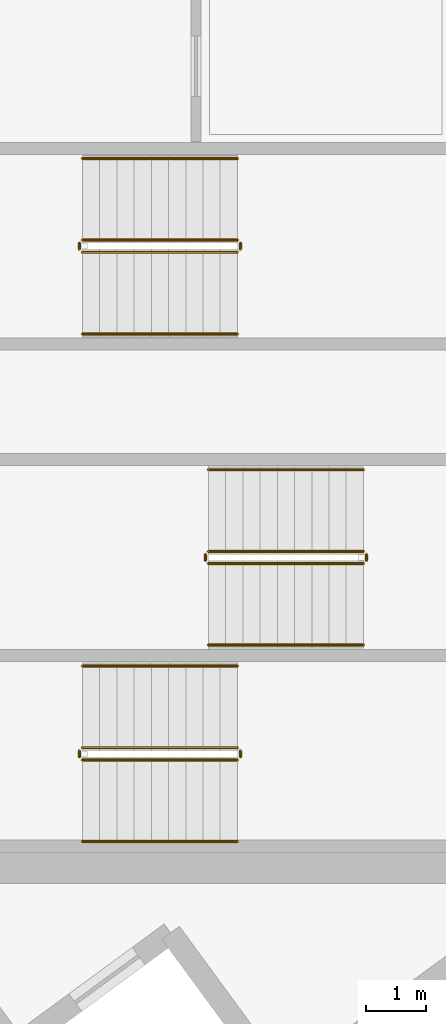
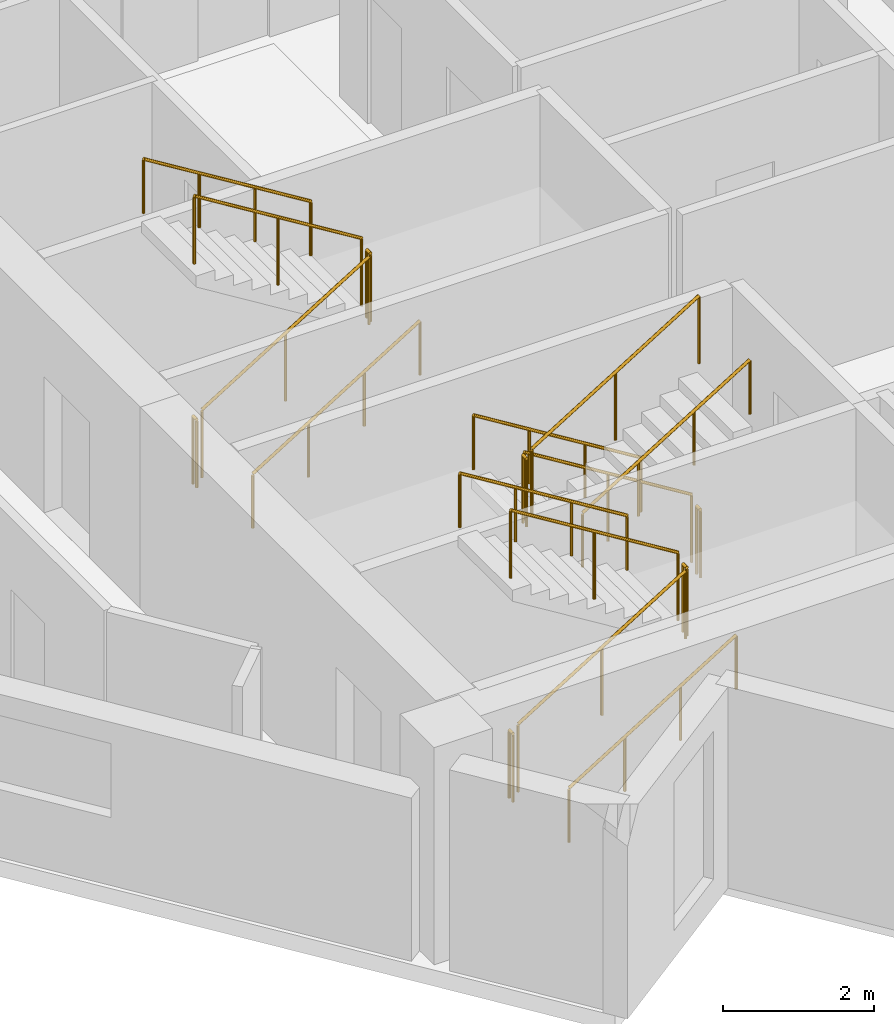
# One storey, part 12 of 13: 18 railings.
"""IFC4 building model written with IfcOpenShell, lengths in metres."""

from ifc_helpers import new_model, si_unit, direction, frame, origin, origin_2d, place, context, subcontext, project, spatial, circle, extrude, material, type_object, element, save


model = new_model("IFC4")

# Units and contexts
model_context = context("Model", 3, precision=1e-05, world=origin(), true_north=direction((0.0, 1.0)))
body_context = subcontext(model_context, "Body", "Model", "MODEL_VIEW")
ifc_project = project(units=[si_unit("LENGTHUNIT", "METRE"), si_unit("AREAUNIT", "SQUARE_METRE"), si_unit("VOLUMEUNIT", "CUBIC_METRE"), si_unit("PLANEANGLEUNIT", "RADIAN"), si_unit("MASSUNIT", "GRAM", prefix="KILO")], contexts=[model_context])

# Site, building, storey
site_placement = place(None, origin())
site = spatial("IfcSite", under=ifc_project, at=site_placement, CompositionType="ELEMENT")
building_placement = place(site_placement, origin())
building = spatial("IfcBuilding", under=site, at=building_placement, Name="Narakoshi Arena Tower", CompositionType="ELEMENT")
storey_placement = place(building_placement, frame((0.0, 0.0, 232.580078125)))
storey = spatial("IfcBuildingStorey", under=building, at=storey_placement, Name="L63", CompositionType="ELEMENT", Elevation=232.580078125)

# Railings
ifc_material_1 = material(Name="Clear low-iron laminated structural glass", Category="glass")
railing_type_1 = type_object("IfcRailingType", Name="RL-BAL-1100", PredefinedType="BALUSTRADE", material=ifc_material_1)
railing_1_placement = place(storey_placement, frame((74.39990234375, 36.949951171875, 0.176025390625)))
element("IfcRailing", 1, at=railing_1_placement, inside=storey, type_object=railing_type_1, Name="L63 ST1 stair guard 1", PredefinedType="BALUSTRADE", context=body_context, shape_type="SweptSolid", body=[
    extrude(circle(Radius=0.02392578125, at=origin_2d()), frame((0.0, 0.0, 1.09619140625), z_axis=(0.850856559306, 0.0, 0.525398054323), x_axis=(0.0, 1.0, 0.0)), (0.0, 0.0, 1.0), 3.014892578125),
    extrude(circle(Radius=0.02099609375, at=origin_2d()), origin(), (0.0, 0.0, 1.0), 1.072021484375),
    extrude(circle(Radius=0.02099609375, at=origin_2d()), frame((1.28271484375, 0.0, 0.7919921875)), (0.0, 0.0, 1.0), 1.072021484375),
    extrude(circle(Radius=0.02099609375, at=origin_2d()), frame((2.565185546875, 0.0, 1.583984375)), (0.0, 0.0, 1.0), 1.072021484375),
])
railing_2_placement = place(storey_placement, frame((77.014892578125, 37.0, 1.760009765625)))
element("IfcRailing", 2, at=railing_2_placement, inside=storey, type_object=railing_type_1, Name="L63 ST1 stair guard 2", PredefinedType="BALUSTRADE", context=body_context, shape_type="SweptSolid", body=[
    extrude(circle(Radius=0.02392578125, at=origin_2d()), frame((0.0, 0.0, 1.09619140625), z_axis=(0.0, 1.0, 0.0), x_axis=(-1.0, 0.0, 0.0)), (0.0, 0.0, 1.0), 0.10009765625),
    extrude(circle(Radius=0.02099609375, at=origin_2d()), origin(), (0.0, 0.0, 1.0), 1.072021484375),
    extrude(circle(Radius=0.02099609375, at=origin_2d()), frame((0.0, 0.10009765625, 0.0)), (0.0, 0.0, 1.0), 1.072021484375),
])
railing_3_placement = place(storey_placement, frame((76.965087890625, 37.14990234375, 1.93603515625)))
element("IfcRailing", 3, at=railing_3_placement, inside=storey, type_object=railing_type_1, Name="L63 ST1 stair guard 3", PredefinedType="BALUSTRADE", context=body_context, shape_type="SweptSolid", body=[
    extrude(circle(Radius=0.02392578125, at=origin_2d()), frame((0.0, 0.0, 1.09619140625), z_axis=(-0.850856559306, 0.0, 0.525398054323), x_axis=(0.0, -1.0, 0.0)), (0.0, 0.0, 1.0), 3.014892578125),
    extrude(circle(Radius=0.02099609375, at=origin_2d()), origin(), (0.0, 0.0, 1.0), 1.072021484375),
    extrude(circle(Radius=0.02099609375, at=origin_2d()), frame((-1.28271484375, 0.0, 0.7919921875)), (0.0, 0.0, 1.0), 1.072021484375),
    extrude(circle(Radius=0.02099609375, at=origin_2d()), frame((-2.565185546875, 0.0, 1.583984375)), (0.0, 0.0, 1.0), 1.072021484375),
])
railing_4_placement = place(storey_placement, frame((74.35009765625, 37.0, 0.0)))
element("IfcRailing", 4, at=railing_4_placement, inside=storey, type_object=railing_type_1, Name="L63 ST1 stair guard 4", PredefinedType="BALUSTRADE", context=body_context, shape_type="SweptSolid", body=[
    extrude(circle(Radius=0.02392578125, at=origin_2d()), frame((0.0, 0.0, 1.09619140625), z_axis=(0.0, 1.0, 0.0), x_axis=(-1.0, 0.0, 0.0)), (0.0, 0.0, 1.0), 0.10009765625),
    extrude(circle(Radius=0.02099609375, at=origin_2d()), origin(), (0.0, 0.0, 1.0), 1.072021484375),
    extrude(circle(Radius=0.02099609375, at=origin_2d()), frame((0.0, 0.10009765625, 0.0)), (0.0, 0.0, 1.0), 1.072021484375),
])
railing_5_placement = place(storey_placement, frame((79.050048828125, 40.39990234375, 0.176025390625)))
element("IfcRailing", 5, at=railing_5_placement, inside=storey, type_object=railing_type_1, Name="L63 ST2 stair guard 1", PredefinedType="BALUSTRADE", context=body_context, shape_type="SweptSolid", body=[
    extrude(circle(Radius=0.02392578125, at=origin_2d()), frame((0.0, 0.0, 1.09619140625), z_axis=(-0.850834203031, 0.0, 0.525434257497), x_axis=(0.0, -1.0, 0.0)), (0.0, 0.0, 1.0), 3.0146484375),
    extrude(circle(Radius=0.02099609375, at=origin_2d()), origin(), (0.0, 0.0, 1.0), 1.072021484375),
    extrude(circle(Radius=0.02099609375, at=origin_2d()), frame((-1.282470703125, 0.0, 0.7919921875)), (0.0, 0.0, 1.0), 1.072021484375),
    extrude(circle(Radius=0.02099609375, at=origin_2d()), frame((-2.56494140625, 0.0, 1.583984375)), (0.0, 0.0, 1.0), 1.072021484375),
])
railing_6_placement = place(storey_placement, frame((76.43505859375, 40.35009765625, 1.760009765625)))
element("IfcRailing", 6, at=railing_6_placement, inside=storey, type_object=railing_type_1, Name="L63 ST2 stair guard 2", PredefinedType="BALUSTRADE", context=body_context, shape_type="SweptSolid", body=[
    extrude(circle(Radius=0.02392578125, at=origin_2d()), frame((0.0, 0.0, 1.09619140625), z_axis=(0.0, -1.0, 0.0), x_axis=(1.0, 0.0, 0.0)), (0.0, 0.0, 1.0), 0.10009765625),
    extrude(circle(Radius=0.02099609375, at=origin_2d()), origin(), (0.0, 0.0, 1.0), 1.072021484375),
    extrude(circle(Radius=0.02099609375, at=origin_2d()), frame((0.0, -0.10009765625, 0.0)), (0.0, 0.0, 1.0), 1.072021484375),
])
railing_7_placement = place(storey_placement, frame((76.485107421875, 40.199951171875, 1.93603515625)))
element("IfcRailing", 7, at=railing_7_placement, inside=storey, type_object=railing_type_1, Name="L63 ST2 stair guard 3", PredefinedType="BALUSTRADE", context=body_context, shape_type="SweptSolid", body=[
    extrude(circle(Radius=0.02392578125, at=origin_2d()), frame((0.0, 0.0, 1.09619140625), z_axis=(0.850834203031, 0.0, 0.525434257497), x_axis=(0.0, 1.0, 0.0)), (0.0, 0.0, 1.0), 3.0146484375),
    extrude(circle(Radius=0.02099609375, at=origin_2d()), origin(), (0.0, 0.0, 1.0), 1.072021484375),
    extrude(circle(Radius=0.02099609375, at=origin_2d()), frame((1.282470703125, 0.0, 0.7919921875)), (0.0, 0.0, 1.0), 1.072021484375),
    extrude(circle(Radius=0.02099609375, at=origin_2d()), frame((2.56494140625, 0.0, 1.583984375)), (0.0, 0.0, 1.0), 1.072021484375),
])
railing_8_placement = place(storey_placement, frame((79.10009765625, 40.35009765625, 0.0)))
element("IfcRailing", 8, at=railing_8_placement, inside=storey, type_object=railing_type_1, Name="L63 ST2 stair guard 4", PredefinedType="BALUSTRADE", context=body_context, shape_type="SweptSolid", body=[
    extrude(circle(Radius=0.02392578125, at=origin_2d()), frame((0.0, 0.0, 1.09619140625), z_axis=(0.0, -1.0, 0.0), x_axis=(1.0, 0.0, 0.0)), (0.0, 0.0, 1.0), 0.10009765625),
    extrude(circle(Radius=0.02099609375, at=origin_2d()), origin(), (0.0, 0.0, 1.0), 1.072021484375),
    extrude(circle(Radius=0.02099609375, at=origin_2d()), frame((0.0, -0.10009765625, 0.0)), (0.0, 0.0, 1.0), 1.072021484375),
])
railing_9_placement = place(storey_placement, frame((74.39990234375, 45.35009765625, 0.176025390625)))
element("IfcRailing", 9, at=railing_9_placement, inside=storey, type_object=railing_type_1, Name="L63 ST3 stair guard 1", PredefinedType="BALUSTRADE", context=body_context, shape_type="SweptSolid", body=[
    extrude(circle(Radius=0.02392578125, at=origin_2d()), frame((0.0, 0.0, 1.09619140625), z_axis=(0.850856559306, 0.0, 0.525398054323), x_axis=(0.0, 1.0, 0.0)), (0.0, 0.0, 1.0), 3.014892578125),
    extrude(circle(Radius=0.02099609375, at=origin_2d()), origin(), (0.0, 0.0, 1.0), 1.072021484375),
    extrude(circle(Radius=0.02099609375, at=origin_2d()), frame((1.28271484375, 0.0, 0.7919921875)), (0.0, 0.0, 1.0), 1.072021484375),
    extrude(circle(Radius=0.02099609375, at=origin_2d()), frame((2.565185546875, 0.0, 1.583984375)), (0.0, 0.0, 1.0), 1.072021484375),
])
railing_10_placement = place(storey_placement, frame((77.014892578125, 45.39990234375, 1.760009765625)))
element("IfcRailing", 10, at=railing_10_placement, inside=storey, type_object=railing_type_1, Name="L63 ST3 stair guard 2", PredefinedType="BALUSTRADE", context=body_context, shape_type="SweptSolid", body=[
    extrude(circle(Radius=0.02392578125, at=origin_2d()), frame((0.0, 0.0, 1.09619140625), z_axis=(0.0, 1.0, 0.0), x_axis=(-1.0, 0.0, 0.0)), (0.0, 0.0, 1.0), 0.10009765625),
    extrude(circle(Radius=0.02099609375, at=origin_2d()), origin(), (0.0, 0.0, 1.0), 1.072021484375),
    extrude(circle(Radius=0.02099609375, at=origin_2d()), frame((0.0, 0.10009765625, 0.0)), (0.0, 0.0, 1.0), 1.072021484375),
])
railing_11_placement = place(storey_placement, frame((76.965087890625, 45.550048828125, 1.93603515625)))
element("IfcRailing", 11, at=railing_11_placement, inside=storey, type_object=railing_type_1, Name="L63 ST3 stair guard 3", PredefinedType="BALUSTRADE", context=body_context, shape_type="SweptSolid", body=[
    extrude(circle(Radius=0.02392578125, at=origin_2d()), frame((0.0, 0.0, 1.09619140625), z_axis=(-0.850856559306, 0.0, 0.525398054323), x_axis=(0.0, -1.0, 0.0)), (0.0, 0.0, 1.0), 3.014892578125),
    extrude(circle(Radius=0.02099609375, at=origin_2d()), origin(), (0.0, 0.0, 1.0), 1.072021484375),
    extrude(circle(Radius=0.02099609375, at=origin_2d()), frame((-1.28271484375, 0.0, 0.7919921875)), (0.0, 0.0, 1.0), 1.072021484375),
    extrude(circle(Radius=0.02099609375, at=origin_2d()), frame((-2.565185546875, 0.0, 1.583984375)), (0.0, 0.0, 1.0), 1.072021484375),
])
railing_12_placement = place(storey_placement, frame((74.35009765625, 45.39990234375, 0.0)))
element("IfcRailing", 12, at=railing_12_placement, inside=storey, type_object=railing_type_1, Name="L63 ST3 stair guard 4", PredefinedType="BALUSTRADE", context=body_context, shape_type="SweptSolid", body=[
    extrude(circle(Radius=0.02392578125, at=origin_2d()), frame((0.0, 0.0, 1.09619140625), z_axis=(0.0, 1.0, 0.0), x_axis=(-1.0, 0.0, 0.0)), (0.0, 0.0, 1.0), 0.10009765625),
    extrude(circle(Radius=0.02099609375, at=origin_2d()), origin(), (0.0, 0.0, 1.0), 1.072021484375),
    extrude(circle(Radius=0.02099609375, at=origin_2d()), frame((0.0, 0.10009765625, 0.0)), (0.0, 0.0, 1.0), 1.072021484375),
])
ifc_material_2 = material(Name="Brushed bronze stainless steel", Category="steel")
railing_type_2 = type_object("IfcRailingType", Name="RL-HND-900", PredefinedType="HANDRAIL", material=ifc_material_2)
railing_13_placement = place(storey_placement, frame((74.39990234375, 35.60009765625, 0.176025390625)))
element("IfcRailing", 13, at=railing_13_placement, inside=storey, type_object=railing_type_2, Name="L63 ST1 stair handrail 1", PredefinedType="HANDRAIL", context=body_context, shape_type="SweptSolid", body=[
    extrude(circle(Radius=0.02392578125, at=origin_2d()), frame((0.0, 0.0, 0.8759765625), z_axis=(0.850856559306, 0.0, 0.525398054323), x_axis=(0.0, 1.0, 0.0)), (0.0, 0.0, 1.0), 3.014892578125),
    extrude(circle(Radius=0.02099609375, at=origin_2d()), origin(), (0.0, 0.0, 1.0), 0.851806640625),
    extrude(circle(Radius=0.02099609375, at=origin_2d()), frame((0.85498046875, 0.0, 0.528076171875)), (0.0, 0.0, 1.0), 0.851806640625),
    extrude(circle(Radius=0.02099609375, at=origin_2d()), frame((1.710205078125, 0.0, 1.055908203125)), (0.0, 0.0, 1.0), 0.851806640625),
    extrude(circle(Radius=0.02099609375, at=origin_2d()), frame((2.565185546875, 0.0, 1.583984375)), (0.0, 0.0, 1.0), 0.851806640625),
])
railing_14_placement = place(storey_placement, frame((76.965087890625, 38.5, 1.93603515625)))
element("IfcRailing", 14, at=railing_14_placement, inside=storey, type_object=railing_type_2, Name="L63 ST1 stair handrail 2", PredefinedType="HANDRAIL", context=body_context, shape_type="SweptSolid", body=[
    extrude(circle(Radius=0.02392578125, at=origin_2d()), frame((0.0, 0.0, 0.8759765625), z_axis=(-0.850856559306, 0.0, 0.525398054323), x_axis=(0.0, -1.0, 0.0)), (0.0, 0.0, 1.0), 3.014892578125),
    extrude(circle(Radius=0.02099609375, at=origin_2d()), origin(), (0.0, 0.0, 1.0), 0.851806640625),
    extrude(circle(Radius=0.02099609375, at=origin_2d()), frame((-0.85498046875, 0.0, 0.528076171875)), (0.0, 0.0, 1.0), 0.851806640625),
    extrude(circle(Radius=0.02099609375, at=origin_2d()), frame((-1.710205078125, 0.0, 1.055908203125)), (0.0, 0.0, 1.0), 0.851806640625),
    extrude(circle(Radius=0.02099609375, at=origin_2d()), frame((-2.565185546875, 0.0, 1.583984375)), (0.0, 0.0, 1.0), 0.851806640625),
])
railing_15_placement = place(storey_placement, frame((79.050048828125, 41.75, 0.176025390625)))
element("IfcRailing", 15, at=railing_15_placement, inside=storey, type_object=railing_type_2, Name="L63 ST2 stair handrail 1", PredefinedType="HANDRAIL", context=body_context, shape_type="SweptSolid", body=[
    extrude(circle(Radius=0.02392578125, at=origin_2d()), frame((0.0, 0.0, 0.8759765625), z_axis=(-0.850834203031, 0.0, 0.525434257497), x_axis=(0.0, -1.0, 0.0)), (0.0, 0.0, 1.0), 3.0146484375),
    extrude(circle(Radius=0.02099609375, at=origin_2d()), origin(), (0.0, 0.0, 1.0), 0.851806640625),
    extrude(circle(Radius=0.02099609375, at=origin_2d()), frame((-0.85498046875, 0.0, 0.528076171875)), (0.0, 0.0, 1.0), 0.851806640625),
    extrude(circle(Radius=0.02099609375, at=origin_2d()), frame((-1.7099609375, 0.0, 1.055908203125)), (0.0, 0.0, 1.0), 0.851806640625),
    extrude(circle(Radius=0.02099609375, at=origin_2d()), frame((-2.56494140625, 0.0, 1.583984375)), (0.0, 0.0, 1.0), 0.851806640625),
])
railing_16_placement = place(storey_placement, frame((76.485107421875, 38.85009765625, 1.93603515625)))
element("IfcRailing", 16, at=railing_16_placement, inside=storey, type_object=railing_type_2, Name="L63 ST2 stair handrail 2", PredefinedType="HANDRAIL", context=body_context, shape_type="SweptSolid", body=[
    extrude(circle(Radius=0.02392578125, at=origin_2d()), frame((0.0, 0.0, 0.8759765625), z_axis=(0.850834203031, 0.0, 0.525434257497), x_axis=(0.0, 1.0, 0.0)), (0.0, 0.0, 1.0), 3.0146484375),
    extrude(circle(Radius=0.02099609375, at=origin_2d()), origin(), (0.0, 0.0, 1.0), 0.851806640625),
    extrude(circle(Radius=0.02099609375, at=origin_2d()), frame((0.85498046875, 0.0, 0.528076171875)), (0.0, 0.0, 1.0), 0.851806640625),
    extrude(circle(Radius=0.02099609375, at=origin_2d()), frame((1.7099609375, 0.0, 1.055908203125)), (0.0, 0.0, 1.0), 0.851806640625),
    extrude(circle(Radius=0.02099609375, at=origin_2d()), frame((2.56494140625, 0.0, 1.583984375)), (0.0, 0.0, 1.0), 0.851806640625),
])
railing_17_placement = place(storey_placement, frame((74.39990234375, 44.0, 0.176025390625)))
element("IfcRailing", 17, at=railing_17_placement, inside=storey, type_object=railing_type_2, Name="L63 ST3 stair handrail 1", PredefinedType="HANDRAIL", context=body_context, shape_type="SweptSolid", body=[
    extrude(circle(Radius=0.02392578125, at=origin_2d()), frame((0.0, 0.0, 0.8759765625), z_axis=(0.850856559306, 0.0, 0.525398054323), x_axis=(0.0, 1.0, 0.0)), (0.0, 0.0, 1.0), 3.014892578125),
    extrude(circle(Radius=0.02099609375, at=origin_2d()), origin(), (0.0, 0.0, 1.0), 0.851806640625),
    extrude(circle(Radius=0.02099609375, at=origin_2d()), frame((0.85498046875, 0.0, 0.528076171875)), (0.0, 0.0, 1.0), 0.851806640625),
    extrude(circle(Radius=0.02099609375, at=origin_2d()), frame((1.710205078125, 0.0, 1.055908203125)), (0.0, 0.0, 1.0), 0.851806640625),
    extrude(circle(Radius=0.02099609375, at=origin_2d()), frame((2.565185546875, 0.0, 1.583984375)), (0.0, 0.0, 1.0), 0.851806640625),
])
railing_18_placement = place(storey_placement, frame((76.965087890625, 46.89990234375, 1.93603515625)))
element("IfcRailing", 18, at=railing_18_placement, inside=storey, type_object=railing_type_2, Name="L63 ST3 stair handrail 2", PredefinedType="HANDRAIL", context=body_context, shape_type="SweptSolid", body=[
    extrude(circle(Radius=0.02392578125, at=origin_2d()), frame((0.0, 0.0, 0.8759765625), z_axis=(-0.850856559306, 0.0, 0.525398054323), x_axis=(0.0, -1.0, 0.0)), (0.0, 0.0, 1.0), 3.014892578125),
    extrude(circle(Radius=0.02099609375, at=origin_2d()), origin(), (0.0, 0.0, 1.0), 0.851806640625),
    extrude(circle(Radius=0.02099609375, at=origin_2d()), frame((-0.85498046875, 0.0, 0.528076171875)), (0.0, 0.0, 1.0), 0.851806640625),
    extrude(circle(Radius=0.02099609375, at=origin_2d()), frame((-1.710205078125, 0.0, 1.055908203125)), (0.0, 0.0, 1.0), 0.851806640625),
    extrude(circle(Radius=0.02099609375, at=origin_2d()), frame((-2.565185546875, 0.0, 1.583984375)), (0.0, 0.0, 1.0), 0.851806640625),
])

save(model, "model.ifc")
